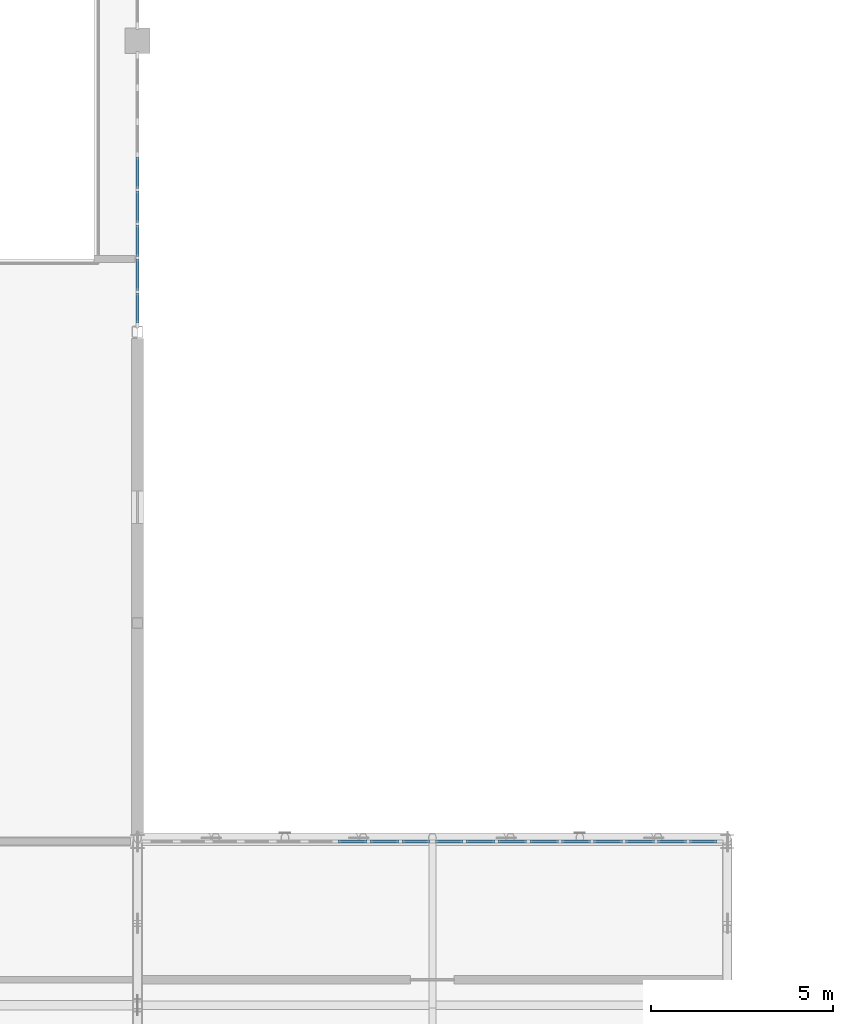
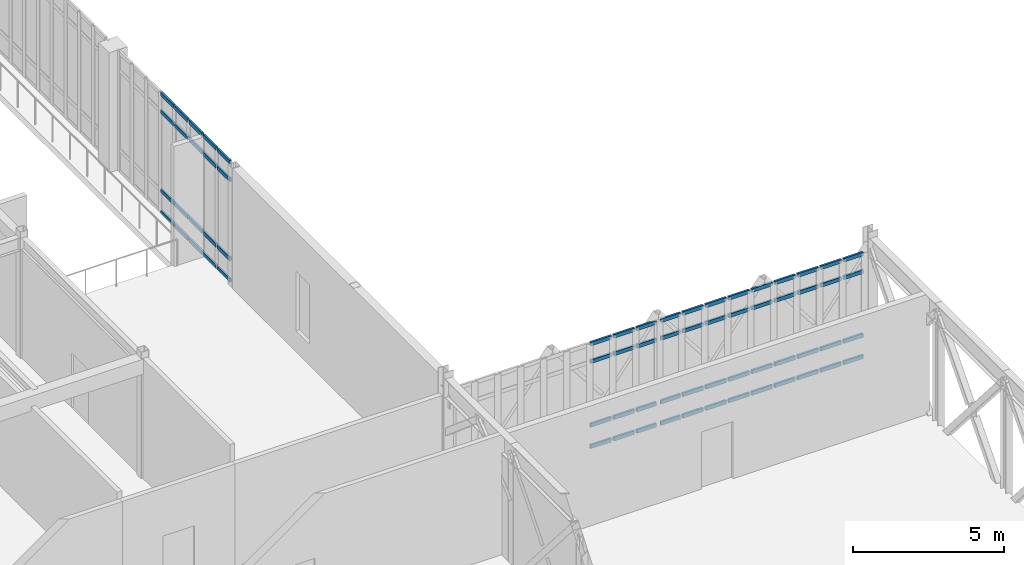
# One storey, part 49 of 107: 68 members, 3 elements without a shape of their own.
"""IFC4 building model written with IfcOpenShell, lengths in metres."""

from ifc_helpers import new_model, si_unit, direction, frame, origin, origin_2d, place, context, subcontext, project, spatial, rectangle, extrude, material, material_profile, profile_set, type_object, element, aggregate, save


model = new_model("IFC4")

# Units and contexts
model_context = context("Model", 3, precision=1e-05, world=origin(), true_north=direction((0.0, 1.0)))
body_context = subcontext(model_context, "Body", "Model", "MODEL_VIEW")
ifc_project = project(units=[si_unit("LENGTHUNIT", "METRE"), si_unit("AREAUNIT", "SQUARE_METRE"), si_unit("VOLUMEUNIT", "CUBIC_METRE"), si_unit("PLANEANGLEUNIT", "RADIAN"), si_unit("MASSUNIT", "GRAM", prefix="KILO")], contexts=[model_context])

# Site, building, storey
site_placement = place(None, origin())
site = spatial("IfcSite", under=ifc_project, at=site_placement, CompositionType="ELEMENT")
building_placement = place(site_placement, origin())
building = spatial("IfcBuilding", under=site, at=building_placement, Name="Tarnveldt Square Police Headquarters", CompositionType="ELEMENT")
storey_placement = place(building_placement, frame((0.0, 0.0, 14.699951171875)))
storey = spatial("IfcBuildingStorey", under=building, at=storey_placement, Name="L03", CompositionType="ELEMENT", Elevation=14.699951171875)

# Curtain wall, members
ifc_material_1 = material(Name="UL 752 Level III laminated ballistic vision glass", Category="glass")
curtain_wall_type_1 = type_object("IfcCurtainWallType", Name="CW-BL-790x422", PredefinedType="USERDEFINED", material=ifc_material_1)
curtain_wall_1_placement = place(storey_placement, origin())
curtain_wall_1 = element("IfcCurtainWall", 1, at=curtain_wall_1_placement, inside=storey, type_object=curtain_wall_type_1, Name="L03 Curtain Wall CW-L03-031", ObjectType="BALLISTIC CURTAIN WALL", PredefinedType="USERDEFINED")
ifc_material_2 = material(Name="Thermally broken anodised aluminium 6063-T6", Category="aluminium")
ifc_material_profile = material_profile(ifc_material_2, rectangle(XDim=0.074951171875, YDim=0.14990234375, at=origin_2d()), Name="CW-T75x150")
ifc_profile_set = profile_set([ifc_material_profile], Name="Thermally broken anodised aluminium 6063-T6")
member_type = type_object("IfcMemberType", Name="CWT-75x150", PredefinedType="USERDEFINED", material=ifc_profile_set)
member_1_placement = place(storey_placement, frame((54.10986328125, 34.0, 0.03759765625), z_axis=(1.0, 0.0, 0.0), x_axis=(0.0, 1.0, 0.0)))
member_1 = element("IfcMember", 2, at=member_1_placement, type_object=member_type, Name="CW-BL14 transom 7.1", ObjectType="TRANSOM", PredefinedType="USERDEFINED", context=body_context, shape_type="SweptSolid", body=[
    extrude(rectangle(XDim=0.074951171875, YDim=0.14990234375, at=origin_2d()), origin(), (0.0, 0.0, 1.0), 0.79248046875),
])
member_2_placement = place(storey_placement, frame((54.10986328125, 34.0, 0.900146484375), z_axis=(1.0, 0.0, 0.0), x_axis=(0.0, 1.0, 0.0)))
member_2 = element("IfcMember", 3, at=member_2_placement, type_object=member_type, Name="CW-BL14 transom 7.2", ObjectType="TRANSOM", PredefinedType="USERDEFINED", context=body_context, shape_type="SweptSolid", body=[
    extrude(rectangle(XDim=0.074951171875, YDim=0.14990234375, at=origin_2d()), origin(), (0.0, 0.0, 1.0), 0.79248046875),
])
member_3_placement = place(storey_placement, frame((54.10986328125, 34.0, 3.469970703125), z_axis=(1.0, 0.0, 0.0), x_axis=(0.0, 1.0, 0.0)))
member_3 = element("IfcMember", 4, at=member_3_placement, type_object=member_type, Name="CW-BL14 transom 7.3", ObjectType="TRANSOM", PredefinedType="USERDEFINED", context=body_context, shape_type="SweptSolid", body=[
    extrude(rectangle(XDim=0.074951171875, YDim=0.14990234375, at=origin_2d()), origin(), (0.0, 0.0, 1.0), 0.79248046875),
])
member_4_placement = place(storey_placement, frame((54.10986328125, 34.0, 4.1826171875), z_axis=(1.0, 0.0, 0.0), x_axis=(0.0, 1.0, 0.0)))
member_4 = element("IfcMember", 5, at=member_4_placement, type_object=member_type, Name="CW-BL14 transom 7.4", ObjectType="TRANSOM", PredefinedType="USERDEFINED", context=body_context, shape_type="SweptSolid", body=[
    extrude(rectangle(XDim=0.074951171875, YDim=0.14990234375, at=origin_2d()), origin(), (0.0, 0.0, 1.0), 0.79248046875),
])
member_5_placement = place(storey_placement, frame((54.9873046875, 34.0, 0.03759765625), z_axis=(1.0, 0.0, 0.0), x_axis=(0.0, 1.0, 0.0)))
member_5 = element("IfcMember", 6, at=member_5_placement, type_object=member_type, Name="CW-BL14 transom 8.1", ObjectType="TRANSOM", PredefinedType="USERDEFINED", context=body_context, shape_type="SweptSolid", body=[
    extrude(rectangle(XDim=0.074951171875, YDim=0.14990234375, at=origin_2d()), origin(), (0.0, 0.0, 1.0), 0.792724609375),
])
member_6_placement = place(storey_placement, frame((54.9873046875, 34.0, 0.900146484375), z_axis=(1.0, 0.0, 0.0), x_axis=(0.0, 1.0, 0.0)))
member_6 = element("IfcMember", 7, at=member_6_placement, type_object=member_type, Name="CW-BL14 transom 8.2", ObjectType="TRANSOM", PredefinedType="USERDEFINED", context=body_context, shape_type="SweptSolid", body=[
    extrude(rectangle(XDim=0.074951171875, YDim=0.14990234375, at=origin_2d()), origin(), (0.0, 0.0, 1.0), 0.792724609375),
])
member_7_placement = place(storey_placement, frame((54.9873046875, 34.0, 3.469970703125), z_axis=(1.0, 0.0, 0.0), x_axis=(0.0, 1.0, 0.0)))
member_7 = element("IfcMember", 8, at=member_7_placement, type_object=member_type, Name="CW-BL14 transom 8.3", ObjectType="TRANSOM", PredefinedType="USERDEFINED", context=body_context, shape_type="SweptSolid", body=[
    extrude(rectangle(XDim=0.074951171875, YDim=0.14990234375, at=origin_2d()), origin(), (0.0, 0.0, 1.0), 0.792724609375),
])
member_8_placement = place(storey_placement, frame((54.9873046875, 34.0, 4.1826171875), z_axis=(1.0, 0.0, 0.0), x_axis=(0.0, 1.0, 0.0)))
member_8 = element("IfcMember", 9, at=member_8_placement, type_object=member_type, Name="CW-BL14 transom 8.4", ObjectType="TRANSOM", PredefinedType="USERDEFINED", context=body_context, shape_type="SweptSolid", body=[
    extrude(rectangle(XDim=0.074951171875, YDim=0.14990234375, at=origin_2d()), origin(), (0.0, 0.0, 1.0), 0.792724609375),
])
member_9_placement = place(storey_placement, frame((55.864990234375, 34.0, 0.03759765625), z_axis=(1.0, 0.0, 0.0), x_axis=(0.0, 1.0, 0.0)))
member_9 = element("IfcMember", 10, at=member_9_placement, type_object=member_type, Name="CW-BL14 transom 9.1", ObjectType="TRANSOM", PredefinedType="USERDEFINED", context=body_context, shape_type="SweptSolid", body=[
    extrude(rectangle(XDim=0.074951171875, YDim=0.14990234375, at=origin_2d()), origin(), (0.0, 0.0, 1.0), 0.75),
])
member_10_placement = place(storey_placement, frame((55.864990234375, 34.0, 0.900146484375), z_axis=(1.0, 0.0, 0.0), x_axis=(0.0, 1.0, 0.0)))
member_10 = element("IfcMember", 11, at=member_10_placement, type_object=member_type, Name="CW-BL14 transom 9.2", ObjectType="TRANSOM", PredefinedType="USERDEFINED", context=body_context, shape_type="SweptSolid", body=[
    extrude(rectangle(XDim=0.074951171875, YDim=0.14990234375, at=origin_2d()), origin(), (0.0, 0.0, 1.0), 0.75),
])
member_11_placement = place(storey_placement, frame((55.864990234375, 34.0, 3.469970703125), z_axis=(1.0, 0.0, 0.0), x_axis=(0.0, 1.0, 0.0)))
member_11 = element("IfcMember", 12, at=member_11_placement, type_object=member_type, Name="CW-BL14 transom 9.3", ObjectType="TRANSOM", PredefinedType="USERDEFINED", context=body_context, shape_type="SweptSolid", body=[
    extrude(rectangle(XDim=0.074951171875, YDim=0.14990234375, at=origin_2d()), origin(), (0.0, 0.0, 1.0), 0.75),
])
member_12_placement = place(storey_placement, frame((55.864990234375, 34.0, 4.1826171875), z_axis=(1.0, 0.0, 0.0), x_axis=(0.0, 1.0, 0.0)))
member_12 = element("IfcMember", 13, at=member_12_placement, type_object=member_type, Name="CW-BL14 transom 9.4", ObjectType="TRANSOM", PredefinedType="USERDEFINED", context=body_context, shape_type="SweptSolid", body=[
    extrude(rectangle(XDim=0.074951171875, YDim=0.14990234375, at=origin_2d()), origin(), (0.0, 0.0, 1.0), 0.75),
])
aggregate(curtain_wall_1, [member_1, member_2, member_3, member_4, member_5, member_6, member_7, member_8, member_9, member_10, member_11, member_12])

curtain_wall_2_placement = place(storey_placement, origin())
curtain_wall_2 = element("IfcCurtainWall", 14, at=curtain_wall_2_placement, inside=storey, type_object=curtain_wall_type_1, Name="L03 Curtain Wall CW-L03-032", ObjectType="BALLISTIC CURTAIN WALL", PredefinedType="USERDEFINED")
member_13_placement = place(storey_placement, frame((56.784912109375, 34.0, 0.03759765625), z_axis=(1.0, 0.0, 0.0), x_axis=(0.0, 1.0, 0.0)))
member_13 = element("IfcMember", 15, at=member_13_placement, type_object=member_type, Name="CW-BL14 transom 1.1", ObjectType="TRANSOM", PredefinedType="USERDEFINED", context=body_context, shape_type="SweptSolid", body=[
    extrude(rectangle(XDim=0.074951171875, YDim=0.14990234375, at=origin_2d()), origin(), (0.0, 0.0, 1.0), 0.750244140625),
])
member_14_placement = place(storey_placement, frame((56.784912109375, 34.0, 0.900146484375), z_axis=(1.0, 0.0, 0.0), x_axis=(0.0, 1.0, 0.0)))
member_14 = element("IfcMember", 16, at=member_14_placement, type_object=member_type, Name="CW-BL14 transom 1.2", ObjectType="TRANSOM", PredefinedType="USERDEFINED", context=body_context, shape_type="SweptSolid", body=[
    extrude(rectangle(XDim=0.074951171875, YDim=0.14990234375, at=origin_2d()), origin(), (0.0, 0.0, 1.0), 0.750244140625),
])
member_15_placement = place(storey_placement, frame((56.784912109375, 34.0, 3.469970703125), z_axis=(1.0, 0.0, 0.0), x_axis=(0.0, 1.0, 0.0)))
member_15 = element("IfcMember", 17, at=member_15_placement, type_object=member_type, Name="CW-BL14 transom 1.3", ObjectType="TRANSOM", PredefinedType="USERDEFINED", context=body_context, shape_type="SweptSolid", body=[
    extrude(rectangle(XDim=0.074951171875, YDim=0.14990234375, at=origin_2d()), origin(), (0.0, 0.0, 1.0), 0.750244140625),
])
member_16_placement = place(storey_placement, frame((56.784912109375, 34.0, 4.1826171875), z_axis=(1.0, 0.0, 0.0), x_axis=(0.0, 1.0, 0.0)))
member_16 = element("IfcMember", 18, at=member_16_placement, type_object=member_type, Name="CW-BL14 transom 1.4", ObjectType="TRANSOM", PredefinedType="USERDEFINED", context=body_context, shape_type="SweptSolid", body=[
    extrude(rectangle(XDim=0.074951171875, YDim=0.14990234375, at=origin_2d()), origin(), (0.0, 0.0, 1.0), 0.750244140625),
])
member_17_placement = place(storey_placement, frame((57.6201171875, 34.0, 0.03759765625), z_axis=(1.0, 0.0, 0.0), x_axis=(0.0, 1.0, 0.0)))
member_17 = element("IfcMember", 19, at=member_17_placement, type_object=member_type, Name="CW-BL14 transom 2.1", ObjectType="TRANSOM", PredefinedType="USERDEFINED", context=body_context, shape_type="SweptSolid", body=[
    extrude(rectangle(XDim=0.074951171875, YDim=0.14990234375, at=origin_2d()), origin(), (0.0, 0.0, 1.0), 0.79248046875),
])
member_18_placement = place(storey_placement, frame((57.6201171875, 34.0, 0.900146484375), z_axis=(1.0, 0.0, 0.0), x_axis=(0.0, 1.0, 0.0)))
member_18 = element("IfcMember", 20, at=member_18_placement, type_object=member_type, Name="CW-BL14 transom 2.2", ObjectType="TRANSOM", PredefinedType="USERDEFINED", context=body_context, shape_type="SweptSolid", body=[
    extrude(rectangle(XDim=0.074951171875, YDim=0.14990234375, at=origin_2d()), origin(), (0.0, 0.0, 1.0), 0.79248046875),
])
member_19_placement = place(storey_placement, frame((57.6201171875, 34.0, 3.469970703125), z_axis=(1.0, 0.0, 0.0), x_axis=(0.0, 1.0, 0.0)))
member_19 = element("IfcMember", 21, at=member_19_placement, type_object=member_type, Name="CW-BL14 transom 2.3", ObjectType="TRANSOM", PredefinedType="USERDEFINED", context=body_context, shape_type="SweptSolid", body=[
    extrude(rectangle(XDim=0.074951171875, YDim=0.14990234375, at=origin_2d()), origin(), (0.0, 0.0, 1.0), 0.79248046875),
])
member_20_placement = place(storey_placement, frame((57.6201171875, 34.0, 4.1826171875), z_axis=(1.0, 0.0, 0.0), x_axis=(0.0, 1.0, 0.0)))
member_20 = element("IfcMember", 22, at=member_20_placement, type_object=member_type, Name="CW-BL14 transom 2.4", ObjectType="TRANSOM", PredefinedType="USERDEFINED", context=body_context, shape_type="SweptSolid", body=[
    extrude(rectangle(XDim=0.074951171875, YDim=0.14990234375, at=origin_2d()), origin(), (0.0, 0.0, 1.0), 0.79248046875),
])
member_21_placement = place(storey_placement, frame((58.49755859375, 34.0, 0.03759765625), z_axis=(1.0, 0.0, 0.0), x_axis=(0.0, 1.0, 0.0)))
member_21 = element("IfcMember", 23, at=member_21_placement, type_object=member_type, Name="CW-BL14 transom 3.1", ObjectType="TRANSOM", PredefinedType="USERDEFINED", context=body_context, shape_type="SweptSolid", body=[
    extrude(rectangle(XDim=0.074951171875, YDim=0.14990234375, at=origin_2d()), origin(), (0.0, 0.0, 1.0), 0.792724609375),
])
member_22_placement = place(storey_placement, frame((58.49755859375, 34.0, 0.900146484375), z_axis=(1.0, 0.0, 0.0), x_axis=(0.0, 1.0, 0.0)))
member_22 = element("IfcMember", 24, at=member_22_placement, type_object=member_type, Name="CW-BL14 transom 3.2", ObjectType="TRANSOM", PredefinedType="USERDEFINED", context=body_context, shape_type="SweptSolid", body=[
    extrude(rectangle(XDim=0.074951171875, YDim=0.14990234375, at=origin_2d()), origin(), (0.0, 0.0, 1.0), 0.792724609375),
])
member_23_placement = place(storey_placement, frame((58.49755859375, 34.0, 3.469970703125), z_axis=(1.0, 0.0, 0.0), x_axis=(0.0, 1.0, 0.0)))
member_23 = element("IfcMember", 25, at=member_23_placement, type_object=member_type, Name="CW-BL14 transom 3.3", ObjectType="TRANSOM", PredefinedType="USERDEFINED", context=body_context, shape_type="SweptSolid", body=[
    extrude(rectangle(XDim=0.074951171875, YDim=0.14990234375, at=origin_2d()), origin(), (0.0, 0.0, 1.0), 0.792724609375),
])
member_24_placement = place(storey_placement, frame((58.49755859375, 34.0, 4.1826171875), z_axis=(1.0, 0.0, 0.0), x_axis=(0.0, 1.0, 0.0)))
member_24 = element("IfcMember", 26, at=member_24_placement, type_object=member_type, Name="CW-BL14 transom 3.4", ObjectType="TRANSOM", PredefinedType="USERDEFINED", context=body_context, shape_type="SweptSolid", body=[
    extrude(rectangle(XDim=0.074951171875, YDim=0.14990234375, at=origin_2d()), origin(), (0.0, 0.0, 1.0), 0.792724609375),
])
member_25_placement = place(storey_placement, frame((59.375244140625, 34.0, 0.03759765625), z_axis=(1.0, 0.0, 0.0), x_axis=(0.0, 1.0, 0.0)))
member_25 = element("IfcMember", 27, at=member_25_placement, type_object=member_type, Name="CW-BL14 transom 4.1", ObjectType="TRANSOM", PredefinedType="USERDEFINED", context=body_context, shape_type="SweptSolid", body=[
    extrude(rectangle(XDim=0.074951171875, YDim=0.14990234375, at=origin_2d()), origin(), (0.0, 0.0, 1.0), 0.79248046875),
])
member_26_placement = place(storey_placement, frame((59.375244140625, 34.0, 0.900146484375), z_axis=(1.0, 0.0, 0.0), x_axis=(0.0, 1.0, 0.0)))
member_26 = element("IfcMember", 28, at=member_26_placement, type_object=member_type, Name="CW-BL14 transom 4.2", ObjectType="TRANSOM", PredefinedType="USERDEFINED", context=body_context, shape_type="SweptSolid", body=[
    extrude(rectangle(XDim=0.074951171875, YDim=0.14990234375, at=origin_2d()), origin(), (0.0, 0.0, 1.0), 0.79248046875),
])
member_27_placement = place(storey_placement, frame((59.375244140625, 34.0, 3.469970703125), z_axis=(1.0, 0.0, 0.0), x_axis=(0.0, 1.0, 0.0)))
member_27 = element("IfcMember", 29, at=member_27_placement, type_object=member_type, Name="CW-BL14 transom 4.3", ObjectType="TRANSOM", PredefinedType="USERDEFINED", context=body_context, shape_type="SweptSolid", body=[
    extrude(rectangle(XDim=0.074951171875, YDim=0.14990234375, at=origin_2d()), origin(), (0.0, 0.0, 1.0), 0.79248046875),
])
member_28_placement = place(storey_placement, frame((59.375244140625, 34.0, 4.1826171875), z_axis=(1.0, 0.0, 0.0), x_axis=(0.0, 1.0, 0.0)))
member_28 = element("IfcMember", 30, at=member_28_placement, type_object=member_type, Name="CW-BL14 transom 4.4", ObjectType="TRANSOM", PredefinedType="USERDEFINED", context=body_context, shape_type="SweptSolid", body=[
    extrude(rectangle(XDim=0.074951171875, YDim=0.14990234375, at=origin_2d()), origin(), (0.0, 0.0, 1.0), 0.79248046875),
])
member_29_placement = place(storey_placement, frame((60.252685546875, 34.0, 0.03759765625), z_axis=(1.0, 0.0, 0.0), x_axis=(0.0, 1.0, 0.0)))
member_29 = element("IfcMember", 31, at=member_29_placement, type_object=member_type, Name="CW-BL14 transom 5.1", ObjectType="TRANSOM", PredefinedType="USERDEFINED", context=body_context, shape_type="SweptSolid", body=[
    extrude(rectangle(XDim=0.074951171875, YDim=0.14990234375, at=origin_2d()), origin(), (0.0, 0.0, 1.0), 0.79248046875),
])
member_30_placement = place(storey_placement, frame((60.252685546875, 34.0, 0.900146484375), z_axis=(1.0, 0.0, 0.0), x_axis=(0.0, 1.0, 0.0)))
member_30 = element("IfcMember", 32, at=member_30_placement, type_object=member_type, Name="CW-BL14 transom 5.2", ObjectType="TRANSOM", PredefinedType="USERDEFINED", context=body_context, shape_type="SweptSolid", body=[
    extrude(rectangle(XDim=0.074951171875, YDim=0.14990234375, at=origin_2d()), origin(), (0.0, 0.0, 1.0), 0.79248046875),
])
member_31_placement = place(storey_placement, frame((60.252685546875, 34.0, 3.469970703125), z_axis=(1.0, 0.0, 0.0), x_axis=(0.0, 1.0, 0.0)))
member_31 = element("IfcMember", 33, at=member_31_placement, type_object=member_type, Name="CW-BL14 transom 5.3", ObjectType="TRANSOM", PredefinedType="USERDEFINED", context=body_context, shape_type="SweptSolid", body=[
    extrude(rectangle(XDim=0.074951171875, YDim=0.14990234375, at=origin_2d()), origin(), (0.0, 0.0, 1.0), 0.79248046875),
])
member_32_placement = place(storey_placement, frame((60.252685546875, 34.0, 4.1826171875), z_axis=(1.0, 0.0, 0.0), x_axis=(0.0, 1.0, 0.0)))
member_32 = element("IfcMember", 34, at=member_32_placement, type_object=member_type, Name="CW-BL14 transom 5.4", ObjectType="TRANSOM", PredefinedType="USERDEFINED", context=body_context, shape_type="SweptSolid", body=[
    extrude(rectangle(XDim=0.074951171875, YDim=0.14990234375, at=origin_2d()), origin(), (0.0, 0.0, 1.0), 0.79248046875),
])
member_33_placement = place(storey_placement, frame((61.13037109375, 34.0, 0.03759765625), z_axis=(1.0, 0.0, 0.0), x_axis=(0.0, 1.0, 0.0)))
member_33 = element("IfcMember", 35, at=member_33_placement, type_object=member_type, Name="CW-BL14 transom 6.1", ObjectType="TRANSOM", PredefinedType="USERDEFINED", context=body_context, shape_type="SweptSolid", body=[
    extrude(rectangle(XDim=0.074951171875, YDim=0.14990234375, at=origin_2d()), origin(), (0.0, 0.0, 1.0), 0.79248046875),
])
member_34_placement = place(storey_placement, frame((61.13037109375, 34.0, 0.900146484375), z_axis=(1.0, 0.0, 0.0), x_axis=(0.0, 1.0, 0.0)))
member_34 = element("IfcMember", 36, at=member_34_placement, type_object=member_type, Name="CW-BL14 transom 6.2", ObjectType="TRANSOM", PredefinedType="USERDEFINED", context=body_context, shape_type="SweptSolid", body=[
    extrude(rectangle(XDim=0.074951171875, YDim=0.14990234375, at=origin_2d()), origin(), (0.0, 0.0, 1.0), 0.79248046875),
])
member_35_placement = place(storey_placement, frame((61.13037109375, 34.0, 3.469970703125), z_axis=(1.0, 0.0, 0.0), x_axis=(0.0, 1.0, 0.0)))
member_35 = element("IfcMember", 37, at=member_35_placement, type_object=member_type, Name="CW-BL14 transom 6.3", ObjectType="TRANSOM", PredefinedType="USERDEFINED", context=body_context, shape_type="SweptSolid", body=[
    extrude(rectangle(XDim=0.074951171875, YDim=0.14990234375, at=origin_2d()), origin(), (0.0, 0.0, 1.0), 0.79248046875),
])
member_36_placement = place(storey_placement, frame((61.13037109375, 34.0, 4.1826171875), z_axis=(1.0, 0.0, 0.0), x_axis=(0.0, 1.0, 0.0)))
member_36 = element("IfcMember", 38, at=member_36_placement, type_object=member_type, Name="CW-BL14 transom 6.4", ObjectType="TRANSOM", PredefinedType="USERDEFINED", context=body_context, shape_type="SweptSolid", body=[
    extrude(rectangle(XDim=0.074951171875, YDim=0.14990234375, at=origin_2d()), origin(), (0.0, 0.0, 1.0), 0.79248046875),
])
member_37_placement = place(storey_placement, frame((62.0078125, 34.0, 0.03759765625), z_axis=(1.0, 0.0, 0.0), x_axis=(0.0, 1.0, 0.0)))
member_37 = element("IfcMember", 39, at=member_37_placement, type_object=member_type, Name="CW-BL14 transom 7.1", ObjectType="TRANSOM", PredefinedType="USERDEFINED", context=body_context, shape_type="SweptSolid", body=[
    extrude(rectangle(XDim=0.074951171875, YDim=0.14990234375, at=origin_2d()), origin(), (0.0, 0.0, 1.0), 0.79248046875),
])
member_38_placement = place(storey_placement, frame((62.0078125, 34.0, 0.900146484375), z_axis=(1.0, 0.0, 0.0), x_axis=(0.0, 1.0, 0.0)))
member_38 = element("IfcMember", 40, at=member_38_placement, type_object=member_type, Name="CW-BL14 transom 7.2", ObjectType="TRANSOM", PredefinedType="USERDEFINED", context=body_context, shape_type="SweptSolid", body=[
    extrude(rectangle(XDim=0.074951171875, YDim=0.14990234375, at=origin_2d()), origin(), (0.0, 0.0, 1.0), 0.79248046875),
])
member_39_placement = place(storey_placement, frame((62.0078125, 34.0, 3.469970703125), z_axis=(1.0, 0.0, 0.0), x_axis=(0.0, 1.0, 0.0)))
member_39 = element("IfcMember", 41, at=member_39_placement, type_object=member_type, Name="CW-BL14 transom 7.3", ObjectType="TRANSOM", PredefinedType="USERDEFINED", context=body_context, shape_type="SweptSolid", body=[
    extrude(rectangle(XDim=0.074951171875, YDim=0.14990234375, at=origin_2d()), origin(), (0.0, 0.0, 1.0), 0.79248046875),
])
member_40_placement = place(storey_placement, frame((62.0078125, 34.0, 4.1826171875), z_axis=(1.0, 0.0, 0.0), x_axis=(0.0, 1.0, 0.0)))
member_40 = element("IfcMember", 42, at=member_40_placement, type_object=member_type, Name="CW-BL14 transom 7.4", ObjectType="TRANSOM", PredefinedType="USERDEFINED", context=body_context, shape_type="SweptSolid", body=[
    extrude(rectangle(XDim=0.074951171875, YDim=0.14990234375, at=origin_2d()), origin(), (0.0, 0.0, 1.0), 0.79248046875),
])
member_41_placement = place(storey_placement, frame((62.885498046875, 34.0, 0.03759765625), z_axis=(1.0, 0.0, 0.0), x_axis=(0.0, 1.0, 0.0)))
member_41 = element("IfcMember", 43, at=member_41_placement, type_object=member_type, Name="CW-BL14 transom 8.1", ObjectType="TRANSOM", PredefinedType="USERDEFINED", context=body_context, shape_type="SweptSolid", body=[
    extrude(rectangle(XDim=0.074951171875, YDim=0.14990234375, at=origin_2d()), origin(), (0.0, 0.0, 1.0), 0.79248046875),
])
member_42_placement = place(storey_placement, frame((62.885498046875, 34.0, 0.900146484375), z_axis=(1.0, 0.0, 0.0), x_axis=(0.0, 1.0, 0.0)))
member_42 = element("IfcMember", 44, at=member_42_placement, type_object=member_type, Name="CW-BL14 transom 8.2", ObjectType="TRANSOM", PredefinedType="USERDEFINED", context=body_context, shape_type="SweptSolid", body=[
    extrude(rectangle(XDim=0.074951171875, YDim=0.14990234375, at=origin_2d()), origin(), (0.0, 0.0, 1.0), 0.79248046875),
])
member_43_placement = place(storey_placement, frame((62.885498046875, 34.0, 3.469970703125), z_axis=(1.0, 0.0, 0.0), x_axis=(0.0, 1.0, 0.0)))
member_43 = element("IfcMember", 45, at=member_43_placement, type_object=member_type, Name="CW-BL14 transom 8.3", ObjectType="TRANSOM", PredefinedType="USERDEFINED", context=body_context, shape_type="SweptSolid", body=[
    extrude(rectangle(XDim=0.074951171875, YDim=0.14990234375, at=origin_2d()), origin(), (0.0, 0.0, 1.0), 0.79248046875),
])
member_44_placement = place(storey_placement, frame((62.885498046875, 34.0, 4.1826171875), z_axis=(1.0, 0.0, 0.0), x_axis=(0.0, 1.0, 0.0)))
member_44 = element("IfcMember", 46, at=member_44_placement, type_object=member_type, Name="CW-BL14 transom 8.4", ObjectType="TRANSOM", PredefinedType="USERDEFINED", context=body_context, shape_type="SweptSolid", body=[
    extrude(rectangle(XDim=0.074951171875, YDim=0.14990234375, at=origin_2d()), origin(), (0.0, 0.0, 1.0), 0.79248046875),
])
member_45_placement = place(storey_placement, frame((63.762939453125, 34.0, 0.03759765625), z_axis=(1.0, 0.0, 0.0), x_axis=(0.0, 1.0, 0.0)))
member_45 = element("IfcMember", 47, at=member_45_placement, type_object=member_type, Name="CW-BL14 transom 9.1", ObjectType="TRANSOM", PredefinedType="USERDEFINED", context=body_context, shape_type="SweptSolid", body=[
    extrude(rectangle(XDim=0.074951171875, YDim=0.14990234375, at=origin_2d()), origin(), (0.0, 0.0, 1.0), 0.75),
])
member_46_placement = place(storey_placement, frame((63.762939453125, 34.0, 0.900146484375), z_axis=(1.0, 0.0, 0.0), x_axis=(0.0, 1.0, 0.0)))
member_46 = element("IfcMember", 48, at=member_46_placement, type_object=member_type, Name="CW-BL14 transom 9.2", ObjectType="TRANSOM", PredefinedType="USERDEFINED", context=body_context, shape_type="SweptSolid", body=[
    extrude(rectangle(XDim=0.074951171875, YDim=0.14990234375, at=origin_2d()), origin(), (0.0, 0.0, 1.0), 0.75),
])
member_47_placement = place(storey_placement, frame((63.762939453125, 34.0, 3.469970703125), z_axis=(1.0, 0.0, 0.0), x_axis=(0.0, 1.0, 0.0)))
member_47 = element("IfcMember", 49, at=member_47_placement, type_object=member_type, Name="CW-BL14 transom 9.3", ObjectType="TRANSOM", PredefinedType="USERDEFINED", context=body_context, shape_type="SweptSolid", body=[
    extrude(rectangle(XDim=0.074951171875, YDim=0.14990234375, at=origin_2d()), origin(), (0.0, 0.0, 1.0), 0.75),
])
member_48_placement = place(storey_placement, frame((63.762939453125, 34.0, 4.1826171875), z_axis=(1.0, 0.0, 0.0), x_axis=(0.0, 1.0, 0.0)))
member_48 = element("IfcMember", 50, at=member_48_placement, type_object=member_type, Name="CW-BL14 transom 9.4", ObjectType="TRANSOM", PredefinedType="USERDEFINED", context=body_context, shape_type="SweptSolid", body=[
    extrude(rectangle(XDim=0.074951171875, YDim=0.14990234375, at=origin_2d()), origin(), (0.0, 0.0, 1.0), 0.75),
])
aggregate(curtain_wall_2, [member_13, member_14, member_15, member_16, member_17, member_18, member_19, member_20, member_21, member_22, member_23, member_24, member_25, member_26, member_27, member_28, member_29, member_30, member_31, member_32, member_33, member_34, member_35, member_36, member_37, member_38, member_39, member_40, member_41, member_42, member_43, member_44, member_45, member_46, member_47, member_48])

ifc_material_3 = material(Name="Triple-glazed low-e laminated vision glass", Category="glass")
curtain_wall_type_2 = type_object("IfcCurtainWallType", Name="CW-WG-747x484", PredefinedType="USERDEFINED", material=ifc_material_3)
curtain_wall_3_placement = place(storey_placement, origin())
curtain_wall_3 = element("IfcCurtainWall", 51, at=curtain_wall_3_placement, inside=storey, type_object=curtain_wall_type_2, Name="L03 Curtain Wall CW-L03-078", ObjectType="GLAZED CURTAIN WALL", PredefinedType="USERDEFINED")
member_49_placement = place(storey_placement, frame((48.60009765625, 48.242431640625, 0.03759765625), z_axis=(0.0, 1.0, 0.0), x_axis=(-1.0, 0.0, 0.0)))
member_49 = element("IfcMember", 52, at=member_49_placement, type_object=member_type, Name="CW-WG38 transom 1.1", ObjectType="TRANSOM", PredefinedType="USERDEFINED", context=body_context, shape_type="SweptSolid", body=[
    extrude(rectangle(XDim=0.074951171875, YDim=0.14990234375, at=origin_2d()), origin(), (0.0, 0.0, 1.0), 0.82080078125),
])
member_50_placement = place(storey_placement, frame((48.60009765625, 48.242431640625, 0.900146484375), z_axis=(0.0, 1.0, 0.0), x_axis=(-1.0, 0.0, 0.0)))
member_50 = element("IfcMember", 53, at=member_50_placement, type_object=member_type, Name="CW-WG38 transom 1.2", ObjectType="TRANSOM", PredefinedType="USERDEFINED", context=body_context, shape_type="SweptSolid", body=[
    extrude(rectangle(XDim=0.074951171875, YDim=0.14990234375, at=origin_2d()), origin(), (0.0, 0.0, 1.0), 0.82080078125),
])
member_51_placement = place(storey_placement, frame((48.60009765625, 48.242431640625, 4.090087890625), z_axis=(0.0, 1.0, 0.0), x_axis=(-1.0, 0.0, 0.0)))
member_51 = element("IfcMember", 54, at=member_51_placement, type_object=member_type, Name="CW-WG38 transom 1.3", ObjectType="TRANSOM", PredefinedType="USERDEFINED", context=body_context, shape_type="SweptSolid", body=[
    extrude(rectangle(XDim=0.074951171875, YDim=0.14990234375, at=origin_2d()), origin(), (0.0, 0.0, 1.0), 0.82080078125),
])
member_52_placement = place(storey_placement, frame((48.60009765625, 48.242431640625, 4.802490234375), z_axis=(0.0, 1.0, 0.0), x_axis=(-1.0, 0.0, 0.0)))
member_52 = element("IfcMember", 55, at=member_52_placement, type_object=member_type, Name="CW-WG38 transom 1.4", ObjectType="TRANSOM", PredefinedType="USERDEFINED", context=body_context, shape_type="SweptSolid", body=[
    extrude(rectangle(XDim=0.074951171875, YDim=0.14990234375, at=origin_2d()), origin(), (0.0, 0.0, 1.0), 0.82080078125),
])
member_53_placement = place(storey_placement, frame((48.60009765625, 49.138427734375, 0.03759765625), z_axis=(0.0, 1.0, 0.0), x_axis=(-1.0, 0.0, 0.0)))
member_53 = element("IfcMember", 56, at=member_53_placement, type_object=member_type, Name="CW-WG38 transom 2.1", ObjectType="TRANSOM", PredefinedType="USERDEFINED", context=body_context, shape_type="SweptSolid", body=[
    extrude(rectangle(XDim=0.074951171875, YDim=0.14990234375, at=origin_2d()), origin(), (0.0, 0.0, 1.0), 0.8583984375),
])
member_54_placement = place(storey_placement, frame((48.60009765625, 49.138427734375, 0.900146484375), z_axis=(0.0, 1.0, 0.0), x_axis=(-1.0, 0.0, 0.0)))
member_54 = element("IfcMember", 57, at=member_54_placement, type_object=member_type, Name="CW-WG38 transom 2.2", ObjectType="TRANSOM", PredefinedType="USERDEFINED", context=body_context, shape_type="SweptSolid", body=[
    extrude(rectangle(XDim=0.074951171875, YDim=0.14990234375, at=origin_2d()), origin(), (0.0, 0.0, 1.0), 0.8583984375),
])
member_55_placement = place(storey_placement, frame((48.60009765625, 49.138427734375, 4.090087890625), z_axis=(0.0, 1.0, 0.0), x_axis=(-1.0, 0.0, 0.0)))
member_55 = element("IfcMember", 58, at=member_55_placement, type_object=member_type, Name="CW-WG38 transom 2.3", ObjectType="TRANSOM", PredefinedType="USERDEFINED", context=body_context, shape_type="SweptSolid", body=[
    extrude(rectangle(XDim=0.074951171875, YDim=0.14990234375, at=origin_2d()), origin(), (0.0, 0.0, 1.0), 0.8583984375),
])
member_56_placement = place(storey_placement, frame((48.60009765625, 49.138427734375, 4.802490234375), z_axis=(0.0, 1.0, 0.0), x_axis=(-1.0, 0.0, 0.0)))
member_56 = element("IfcMember", 59, at=member_56_placement, type_object=member_type, Name="CW-WG38 transom 2.4", ObjectType="TRANSOM", PredefinedType="USERDEFINED", context=body_context, shape_type="SweptSolid", body=[
    extrude(rectangle(XDim=0.074951171875, YDim=0.14990234375, at=origin_2d()), origin(), (0.0, 0.0, 1.0), 0.8583984375),
])
member_57_placement = place(storey_placement, frame((48.60009765625, 50.07177734375, 0.03759765625), z_axis=(0.0, 1.0, 0.0), x_axis=(-1.0, 0.0, 0.0)))
member_57 = element("IfcMember", 60, at=member_57_placement, type_object=member_type, Name="CW-WG38 transom 3.1", ObjectType="TRANSOM", PredefinedType="USERDEFINED", context=body_context, shape_type="SweptSolid", body=[
    extrude(rectangle(XDim=0.074951171875, YDim=0.14990234375, at=origin_2d()), origin(), (0.0, 0.0, 1.0), 0.8583984375),
])
member_58_placement = place(storey_placement, frame((48.60009765625, 50.07177734375, 0.900146484375), z_axis=(0.0, 1.0, 0.0), x_axis=(-1.0, 0.0, 0.0)))
member_58 = element("IfcMember", 61, at=member_58_placement, type_object=member_type, Name="CW-WG38 transom 3.2", ObjectType="TRANSOM", PredefinedType="USERDEFINED", context=body_context, shape_type="SweptSolid", body=[
    extrude(rectangle(XDim=0.074951171875, YDim=0.14990234375, at=origin_2d()), origin(), (0.0, 0.0, 1.0), 0.8583984375),
])
member_59_placement = place(storey_placement, frame((48.60009765625, 50.07177734375, 4.090087890625), z_axis=(0.0, 1.0, 0.0), x_axis=(-1.0, 0.0, 0.0)))
member_59 = element("IfcMember", 62, at=member_59_placement, type_object=member_type, Name="CW-WG38 transom 3.3", ObjectType="TRANSOM", PredefinedType="USERDEFINED", context=body_context, shape_type="SweptSolid", body=[
    extrude(rectangle(XDim=0.074951171875, YDim=0.14990234375, at=origin_2d()), origin(), (0.0, 0.0, 1.0), 0.8583984375),
])
member_60_placement = place(storey_placement, frame((48.60009765625, 50.07177734375, 4.802490234375), z_axis=(0.0, 1.0, 0.0), x_axis=(-1.0, 0.0, 0.0)))
member_60 = element("IfcMember", 63, at=member_60_placement, type_object=member_type, Name="CW-WG38 transom 3.4", ObjectType="TRANSOM", PredefinedType="USERDEFINED", context=body_context, shape_type="SweptSolid", body=[
    extrude(rectangle(XDim=0.074951171875, YDim=0.14990234375, at=origin_2d()), origin(), (0.0, 0.0, 1.0), 0.8583984375),
])
member_61_placement = place(storey_placement, frame((48.60009765625, 51.00537109375, 0.03759765625), z_axis=(0.0, 1.0, 0.0), x_axis=(-1.0, 0.0, 0.0)))
member_61 = element("IfcMember", 64, at=member_61_placement, type_object=member_type, Name="CW-WG38 transom 4.1", ObjectType="TRANSOM", PredefinedType="USERDEFINED", context=body_context, shape_type="SweptSolid", body=[
    extrude(rectangle(XDim=0.074951171875, YDim=0.14990234375, at=origin_2d()), origin(), (0.0, 0.0, 1.0), 0.8583984375),
])
member_62_placement = place(storey_placement, frame((48.60009765625, 51.00537109375, 0.900146484375), z_axis=(0.0, 1.0, 0.0), x_axis=(-1.0, 0.0, 0.0)))
member_62 = element("IfcMember", 65, at=member_62_placement, type_object=member_type, Name="CW-WG38 transom 4.2", ObjectType="TRANSOM", PredefinedType="USERDEFINED", context=body_context, shape_type="SweptSolid", body=[
    extrude(rectangle(XDim=0.074951171875, YDim=0.14990234375, at=origin_2d()), origin(), (0.0, 0.0, 1.0), 0.8583984375),
])
member_63_placement = place(storey_placement, frame((48.60009765625, 51.00537109375, 4.090087890625), z_axis=(0.0, 1.0, 0.0), x_axis=(-1.0, 0.0, 0.0)))
member_63 = element("IfcMember", 66, at=member_63_placement, type_object=member_type, Name="CW-WG38 transom 4.3", ObjectType="TRANSOM", PredefinedType="USERDEFINED", context=body_context, shape_type="SweptSolid", body=[
    extrude(rectangle(XDim=0.074951171875, YDim=0.14990234375, at=origin_2d()), origin(), (0.0, 0.0, 1.0), 0.8583984375),
])
member_64_placement = place(storey_placement, frame((48.60009765625, 51.00537109375, 4.802490234375), z_axis=(0.0, 1.0, 0.0), x_axis=(-1.0, 0.0, 0.0)))
member_64 = element("IfcMember", 67, at=member_64_placement, type_object=member_type, Name="CW-WG38 transom 4.4", ObjectType="TRANSOM", PredefinedType="USERDEFINED", context=body_context, shape_type="SweptSolid", body=[
    extrude(rectangle(XDim=0.074951171875, YDim=0.14990234375, at=origin_2d()), origin(), (0.0, 0.0, 1.0), 0.8583984375),
])
member_65_placement = place(storey_placement, frame((48.60009765625, 51.938720703125, 0.03759765625), z_axis=(0.0, 1.0, 0.0), x_axis=(-1.0, 0.0, 0.0)))
member_65 = element("IfcMember", 68, at=member_65_placement, type_object=member_type, Name="CW-WG38 transom 5.1", ObjectType="TRANSOM", PredefinedType="USERDEFINED", context=body_context, shape_type="SweptSolid", body=[
    extrude(rectangle(XDim=0.074951171875, YDim=0.14990234375, at=origin_2d()), origin(), (0.0, 0.0, 1.0), 0.8583984375),
])
member_66_placement = place(storey_placement, frame((48.60009765625, 51.938720703125, 0.900146484375), z_axis=(0.0, 1.0, 0.0), x_axis=(-1.0, 0.0, 0.0)))
member_66 = element("IfcMember", 69, at=member_66_placement, type_object=member_type, Name="CW-WG38 transom 5.2", ObjectType="TRANSOM", PredefinedType="USERDEFINED", context=body_context, shape_type="SweptSolid", body=[
    extrude(rectangle(XDim=0.074951171875, YDim=0.14990234375, at=origin_2d()), origin(), (0.0, 0.0, 1.0), 0.8583984375),
])
member_67_placement = place(storey_placement, frame((48.60009765625, 51.938720703125, 4.090087890625), z_axis=(0.0, 1.0, 0.0), x_axis=(-1.0, 0.0, 0.0)))
member_67 = element("IfcMember", 70, at=member_67_placement, type_object=member_type, Name="CW-WG38 transom 5.3", ObjectType="TRANSOM", PredefinedType="USERDEFINED", context=body_context, shape_type="SweptSolid", body=[
    extrude(rectangle(XDim=0.074951171875, YDim=0.14990234375, at=origin_2d()), origin(), (0.0, 0.0, 1.0), 0.8583984375),
])
member_68_placement = place(storey_placement, frame((48.60009765625, 51.938720703125, 4.802490234375), z_axis=(0.0, 1.0, 0.0), x_axis=(-1.0, 0.0, 0.0)))
member_68 = element("IfcMember", 71, at=member_68_placement, type_object=member_type, Name="CW-WG38 transom 5.4", ObjectType="TRANSOM", PredefinedType="USERDEFINED", context=body_context, shape_type="SweptSolid", body=[
    extrude(rectangle(XDim=0.074951171875, YDim=0.14990234375, at=origin_2d()), origin(), (0.0, 0.0, 1.0), 0.8583984375),
])
aggregate(curtain_wall_3, [member_49, member_50, member_51, member_52, member_53, member_54, member_55, member_56, member_57, member_58, member_59, member_60, member_61, member_62, member_63, member_64, member_65, member_66, member_67, member_68])

save(model, "model.ifc")
